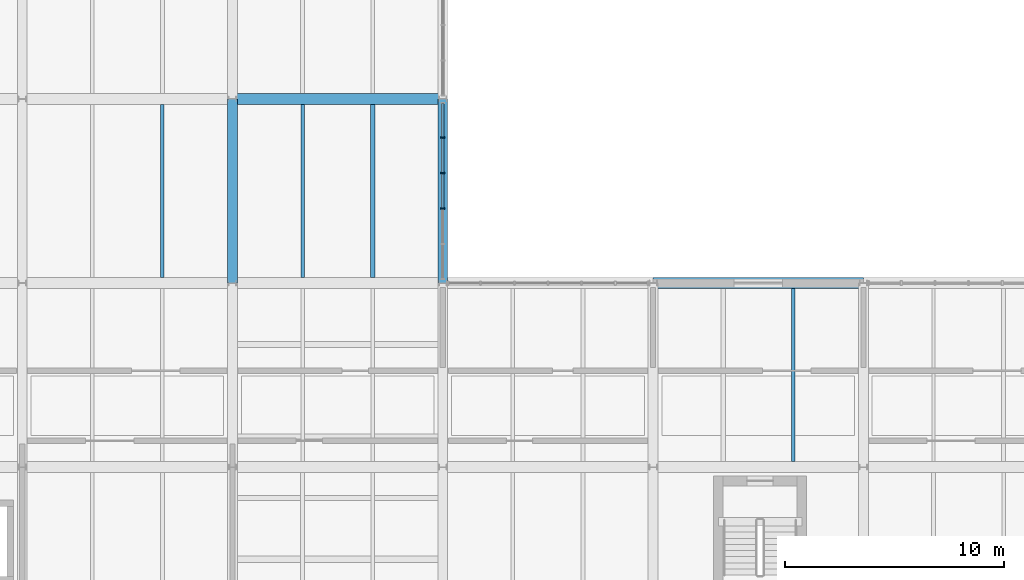
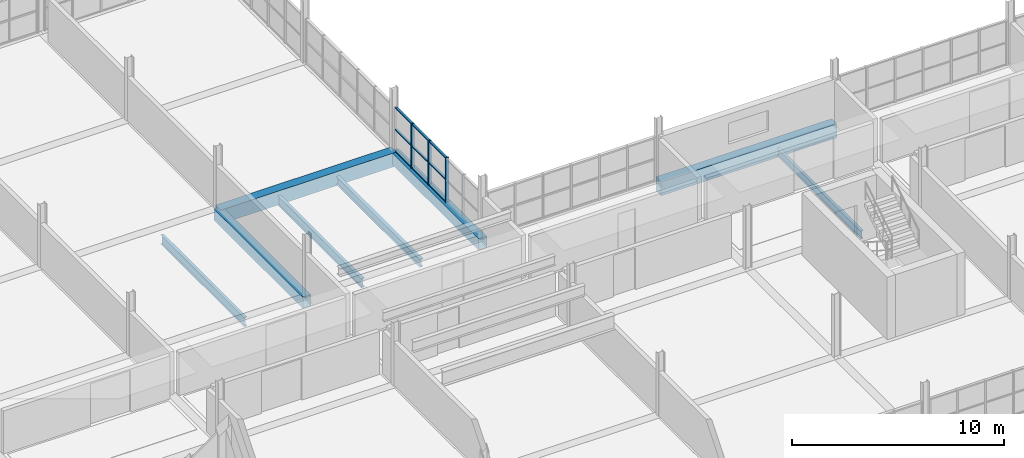
# One storey, part 47 of 147: 12 members, 8 beams, 1 element without a shape of its own.
"""IFC4 building model written with IfcOpenShell, lengths in metres."""

from ifc_helpers import new_model, si_unit, direction, frame, origin, origin_2d, place, context, subcontext, project, spatial, rectangle, i_section, extrude, material, material_profile, profile_set, type_object, element, aggregate, save


model = new_model("IFC4")

# Units and contexts
model_context = context("Model", 3, precision=1e-05, world=origin(), true_north=direction((0.0, 1.0)))
body_context = subcontext(model_context, "Body", "Model", "MODEL_VIEW")
ifc_project = project(units=[si_unit("LENGTHUNIT", "METRE"), si_unit("AREAUNIT", "SQUARE_METRE"), si_unit("VOLUMEUNIT", "CUBIC_METRE"), si_unit("PLANEANGLEUNIT", "RADIAN"), si_unit("MASSUNIT", "GRAM", prefix="KILO")], contexts=[model_context])

# Site, building, storey
site_placement = place(None, origin())
site = spatial("IfcSite", under=ifc_project, at=site_placement, CompositionType="ELEMENT")
building_placement = place(site_placement, origin())
building = spatial("IfcBuilding", under=site, at=building_placement, Name="Oolite Switchyard Hospital", CompositionType="ELEMENT")
storey_placement = place(building_placement, frame((0.0, 0.0, 9.89990234375)))
storey = spatial("IfcBuildingStorey", under=building, at=storey_placement, Name="L02", CompositionType="ELEMENT", Elevation=9.89990234375)

# Beams
ifc_material_1 = material(Name="Concrete C40/50", Category="concrete")
ifc_material_profile_1 = material_profile(ifc_material_1, rectangle(XDim=0.449951171875, YDim=0.64990234375, at=origin_2d()), Name="RCB450X650")
ifc_profile_set_1 = profile_set([ifc_material_profile_1], Name="Concrete C40/50")
beam_type_1 = type_object("IfcBeamType", Name="BM-RC450X650", PredefinedType="BEAM", material=ifc_profile_set_1)
for number, where, z_axis, x_axis, name in (
    (1, (67.199951171875, 109.199951171875, -0.324951171875), (0.0, 1.0, 0.0), (-1.0, 0.0, 0.0), "L02 Y-Girder 1364"),
    (2, (76.800048828125, 109.199951171875, -0.324951171875), (0.0, 1.0, 0.0), (-1.0, 0.0, 0.0), "L02 Y-Girder 1370"),
):
    element("IfcBeam", number, at=place(storey_placement, frame(where, z_axis=z_axis, x_axis=x_axis)), inside=storey, type_object=beam_type_1, Name=name, PredefinedType="BEAM", context=body_context, shape_type="SweptSolid", body=[
        extrude(rectangle(XDim=0.449951171875, YDim=0.64990234375, at=origin_2d()), origin(), (0.0, 0.0, 1.0), 8.400146484375),
    ])
ifc_material_profile_2 = material_profile(ifc_material_1, rectangle(XDim=0.5, YDim=0.800048828125, at=origin_2d()), Name="RCB500X800")
ifc_profile_set_2 = profile_set([ifc_material_profile_2], Name="Concrete C40/50")
beam_type_2 = type_object("IfcBeamType", Name="BM-RC500X800", PredefinedType="BEAM", material=ifc_profile_set_2)
for number, where, z_axis, x_axis, name in (
    (3, (86.39990234375, 109.199951171875, -0.39990234375), (1.0, 0.0, 0.0), (0.0, 1.0, 0.0), "L02 X-Girder 1190"),
    (4, (67.199951171875, 117.60009765625, -0.39990234375), (1.0, 0.0, 0.0), (0.0, 1.0, 0.0), "L02 X-Girder 1210"),
):
    element("IfcBeam", number, at=place(storey_placement, frame(where, z_axis=z_axis, x_axis=x_axis)), inside=storey, type_object=beam_type_2, Name=name, PredefinedType="BEAM", context=body_context, shape_type="SweptSolid", body=[
        extrude(rectangle(XDim=0.5, YDim=0.800048828125, at=origin_2d()), origin(), (0.0, 0.0, 1.0), 9.60009765625),
    ])
ifc_material_2 = material(Name="Steel ASTM A992 Grade 50", Category="steel")
ifc_material_profile_3 = material_profile(ifc_material_2, i_section(OverallWidth=0.153076171875, OverallDepth=0.455078125, WebThickness=0.008056640625, FlangeThickness=0.012939453125, at=origin_2d()), Name="W18X40")
ifc_profile_set_3 = profile_set([ifc_material_profile_3], Name="Steel ASTM A992 Grade 50")
beam_type_3 = type_object("IfcBeamType", Name="BM-W18X40", PredefinedType="JOIST", material=ifc_profile_set_3)
beam_1_placement = place(storey_placement, frame((92.800048828125, 101.050048828125, -0.48681640625), z_axis=(0.0, 1.0, 0.0), x_axis=(-1.0, 0.0, 0.0)))
element("IfcBeam", 5, at=beam_1_placement, inside=storey, type_object=beam_type_3, Name="L02 Secondary Steel Joist 1719", PredefinedType="JOIST", context=body_context, shape_type="SweptSolid", body=[
    extrude(i_section(OverallWidth=0.153076171875, OverallDepth=0.455078125, WebThickness=0.008056640625, FlangeThickness=0.012939453125, at=origin_2d()), origin(), (0.0, 0.0, 1.0), 7.89990234375),
])
ifc_material_profile_4 = material_profile(ifc_material_2, i_section(OverallWidth=0.19091796875, OverallDepth=0.4599609375, WebThickness=0.010009765625, FlangeThickness=0.01611328125, at=origin_2d()), Name="W18X55")
ifc_profile_set_4 = profile_set([ifc_material_profile_4], Name="Steel ASTM A992 Grade 50")
beam_type_4 = type_object("IfcBeamType", Name="BM-W18X55", PredefinedType="JOIST", material=ifc_profile_set_4)
beam_2_placement = place(storey_placement, frame((73.60009765625, 109.449951171875, -0.489990234375), z_axis=(0.0, 1.0, 0.0), x_axis=(-1.0, 0.0, 0.0)))
element("IfcBeam", 6, at=beam_2_placement, inside=storey, type_object=beam_type_4, Name="L02 Secondary Steel Joist 1705", PredefinedType="JOIST", context=body_context, shape_type="SweptSolid", body=[
    extrude(i_section(OverallWidth=0.19091796875, OverallDepth=0.4599609375, WebThickness=0.010009765625, FlangeThickness=0.01611328125, at=origin_2d()), origin(), (0.0, 0.0, 1.0), 7.900146484375),
])
ifc_material_profile_5 = material_profile(ifc_material_2, i_section(OverallWidth=0.166015625, OverallDepth=0.529052734375, WebThickness=0.010009765625, FlangeThickness=0.013916015625, at=origin_2d()), Name="W21X50")
ifc_profile_set_5 = profile_set([ifc_material_profile_5], Name="Steel ASTM A992 Grade 50")
beam_type_5 = type_object("IfcBeamType", Name="BM-W21X50", PredefinedType="JOIST", material=ifc_profile_set_5)
for number, where, z_axis, x_axis, name in (
    (7, (64.0, 109.449951171875, -0.52392578125), (0.0, 1.0, 0.0), (-1.0, 0.0, 0.0), "L02 Secondary Steel Joist 1693"),
    (8, (70.39990234375, 109.449951171875, -0.52392578125), (0.0, 1.0, 0.0), (-1.0, 0.0, 0.0), "L02 Secondary Steel Joist 1704"),
):
    element("IfcBeam", number, at=place(storey_placement, frame(where, z_axis=z_axis, x_axis=x_axis)), inside=storey, type_object=beam_type_5, Name=name, PredefinedType="JOIST", context=body_context, shape_type="SweptSolid", body=[
        extrude(i_section(OverallWidth=0.166015625, OverallDepth=0.529052734375, WebThickness=0.010009765625, FlangeThickness=0.013916015625, at=origin_2d()), origin(), (0.0, 0.0, 1.0), 7.900146484375),
    ])

# Curtain wall, members
ifc_material_3 = material(Name="Thermally broken aluminum frame with laminated impact glazing", Category="aluminium")
curtain_wall_type = type_object("IfcCurtainWallType", Name="CW-UNIT-84X36", PredefinedType="USERDEFINED", material=ifc_material_3)
curtain_wall_placement = place(storey_placement, origin())
curtain_wall = element("IfcCurtainWall", 9, at=curtain_wall_placement, inside=storey, type_object=curtain_wall_type, Name="L02 Unitised Curtain Wall 290", ObjectType="UNITISED", PredefinedType="USERDEFINED")
ifc_material_4 = material(Name="Aluminium 6063-T6", Category="aluminium")
ifc_material_profile_6 = material_profile(ifc_material_4, rectangle(XDim=0.179931640625, YDim=0.070068359375, at=origin_2d()), Name="CWM70X180")
ifc_profile_set_6 = profile_set([ifc_material_profile_6], Name="Aluminium 6063-T6")
member_type_1 = type_object("IfcMemberType", Name="CW-MUL-220", PredefinedType="MULLION", material=ifc_profile_set_6)
member_1_placement = place(storey_placement, frame((76.800048828125, 115.83837890625, 0.0), z_axis=(0.0, 0.0, 1.0), x_axis=(1.0, 0.0, 0.0)))
member_1 = element("IfcMember", 10, at=member_1_placement, type_object=member_type_1, Name="CW-08 mullion 2", PredefinedType="MULLION", context=body_context, shape_type="SweptSolid", body=[
    extrude(rectangle(XDim=0.179931640625, YDim=0.070068359375, at=origin_2d()), origin(), (0.0, 0.0, 1.0), 2.570068359375),
])
member_2_placement = place(storey_placement, frame((76.800048828125, 114.21875, 0.0), z_axis=(0.0, 0.0, 1.0), x_axis=(1.0, 0.0, 0.0)))
member_2 = element("IfcMember", 11, at=member_2_placement, type_object=member_type_1, Name="CW-08 mullion 3", PredefinedType="MULLION", context=body_context, shape_type="SweptSolid", body=[
    extrude(rectangle(XDim=0.179931640625, YDim=0.070068359375, at=origin_2d()), origin(), (0.0, 0.0, 1.0), 2.570068359375),
])
member_3_placement = place(storey_placement, frame((76.800048828125, 112.59912109375, 0.0), z_axis=(0.0, 0.0, 1.0), x_axis=(1.0, 0.0, 0.0)))
member_3 = element("IfcMember", 12, at=member_3_placement, type_object=member_type_1, Name="CW-08 mullion 4", PredefinedType="MULLION", context=body_context, shape_type="SweptSolid", body=[
    extrude(rectangle(XDim=0.179931640625, YDim=0.070068359375, at=origin_2d()), origin(), (0.0, 0.0, 1.0), 2.570068359375),
])
ifc_material_profile_7 = material_profile(ifc_material_4, rectangle(XDim=0.1201171875, YDim=0.06005859375, at=origin_2d()), Name="CWT60X120")
ifc_profile_set_7 = profile_set([ifc_material_profile_7], Name="Aluminium 6063-T6")
member_type_2 = type_object("IfcMemberType", Name="CW-TRN-150", PredefinedType="USERDEFINED", material=ifc_profile_set_7)
member_4_placement = place(storey_placement, frame((76.800048828125, 117.387939453125, 0.030029296875), z_axis=(0.0, -1.0, 0.0), x_axis=(1.0, 0.0, 0.0)))
member_4 = element("IfcMember", 13, at=member_4_placement, type_object=member_type_2, Name="CW-08 transom 1.1", ObjectType="TRANSOM", PredefinedType="USERDEFINED", context=body_context, shape_type="SweptSolid", body=[
    extrude(rectangle(XDim=0.1201171875, YDim=0.06005859375, at=origin_2d()), origin(), (0.0, 0.0, 1.0), 1.5146484375),
])
member_5_placement = place(storey_placement, frame((76.800048828125, 117.387939453125, 1.28515625), z_axis=(0.0, -1.0, 0.0), x_axis=(1.0, 0.0, 0.0)))
member_5 = element("IfcMember", 14, at=member_5_placement, type_object=member_type_2, Name="CW-08 transom 1.2", ObjectType="TRANSOM", PredefinedType="USERDEFINED", context=body_context, shape_type="SweptSolid", body=[
    extrude(rectangle(XDim=0.1201171875, YDim=0.06005859375, at=origin_2d()), origin(), (0.0, 0.0, 1.0), 1.5146484375),
])
member_6_placement = place(storey_placement, frame((76.800048828125, 117.387939453125, 2.5400390625), z_axis=(0.0, -1.0, 0.0), x_axis=(1.0, 0.0, 0.0)))
member_6 = element("IfcMember", 15, at=member_6_placement, type_object=member_type_2, Name="CW-08 transom 1.3", ObjectType="TRANSOM", PredefinedType="USERDEFINED", context=body_context, shape_type="SweptSolid", body=[
    extrude(rectangle(XDim=0.1201171875, YDim=0.06005859375, at=origin_2d()), origin(), (0.0, 0.0, 1.0), 1.5146484375),
])
member_7_placement = place(storey_placement, frame((76.800048828125, 115.803466796875, 0.030029296875), z_axis=(0.0, -1.0, 0.0), x_axis=(1.0, 0.0, 0.0)))
member_7 = element("IfcMember", 16, at=member_7_placement, type_object=member_type_2, Name="CW-08 transom 2.1", ObjectType="TRANSOM", PredefinedType="USERDEFINED", context=body_context, shape_type="SweptSolid", body=[
    extrude(rectangle(XDim=0.1201171875, YDim=0.06005859375, at=origin_2d()), origin(), (0.0, 0.0, 1.0), 1.549560546875),
])
member_8_placement = place(storey_placement, frame((76.800048828125, 115.803466796875, 1.28515625), z_axis=(0.0, -1.0, 0.0), x_axis=(1.0, 0.0, 0.0)))
member_8 = element("IfcMember", 17, at=member_8_placement, type_object=member_type_2, Name="CW-08 transom 2.2", ObjectType="TRANSOM", PredefinedType="USERDEFINED", context=body_context, shape_type="SweptSolid", body=[
    extrude(rectangle(XDim=0.1201171875, YDim=0.06005859375, at=origin_2d()), origin(), (0.0, 0.0, 1.0), 1.549560546875),
])
member_9_placement = place(storey_placement, frame((76.800048828125, 115.803466796875, 2.5400390625), z_axis=(0.0, -1.0, 0.0), x_axis=(1.0, 0.0, 0.0)))
member_9 = element("IfcMember", 18, at=member_9_placement, type_object=member_type_2, Name="CW-08 transom 2.3", ObjectType="TRANSOM", PredefinedType="USERDEFINED", context=body_context, shape_type="SweptSolid", body=[
    extrude(rectangle(XDim=0.1201171875, YDim=0.06005859375, at=origin_2d()), origin(), (0.0, 0.0, 1.0), 1.549560546875),
])
member_10_placement = place(storey_placement, frame((76.800048828125, 114.183837890625, 0.030029296875), z_axis=(0.0, -1.0, 0.0), x_axis=(1.0, 0.0, 0.0)))
member_10 = element("IfcMember", 19, at=member_10_placement, type_object=member_type_2, Name="CW-08 transom 3.1", ObjectType="TRANSOM", PredefinedType="USERDEFINED", context=body_context, shape_type="SweptSolid", body=[
    extrude(rectangle(XDim=0.1201171875, YDim=0.06005859375, at=origin_2d()), origin(), (0.0, 0.0, 1.0), 1.549560546875),
])
member_11_placement = place(storey_placement, frame((76.800048828125, 114.183837890625, 1.28515625), z_axis=(0.0, -1.0, 0.0), x_axis=(1.0, 0.0, 0.0)))
member_11 = element("IfcMember", 20, at=member_11_placement, type_object=member_type_2, Name="CW-08 transom 3.2", ObjectType="TRANSOM", PredefinedType="USERDEFINED", context=body_context, shape_type="SweptSolid", body=[
    extrude(rectangle(XDim=0.1201171875, YDim=0.06005859375, at=origin_2d()), origin(), (0.0, 0.0, 1.0), 1.549560546875),
])
member_12_placement = place(storey_placement, frame((76.800048828125, 114.183837890625, 2.5400390625), z_axis=(0.0, -1.0, 0.0), x_axis=(1.0, 0.0, 0.0)))
member_12 = element("IfcMember", 21, at=member_12_placement, type_object=member_type_2, Name="CW-08 transom 3.3", ObjectType="TRANSOM", PredefinedType="USERDEFINED", context=body_context, shape_type="SweptSolid", body=[
    extrude(rectangle(XDim=0.1201171875, YDim=0.06005859375, at=origin_2d()), origin(), (0.0, 0.0, 1.0), 1.549560546875),
])
aggregate(curtain_wall, [member_1, member_2, member_3, member_4, member_5, member_6, member_7, member_8, member_9, member_10, member_11, member_12])

save(model, "model.ifc")
